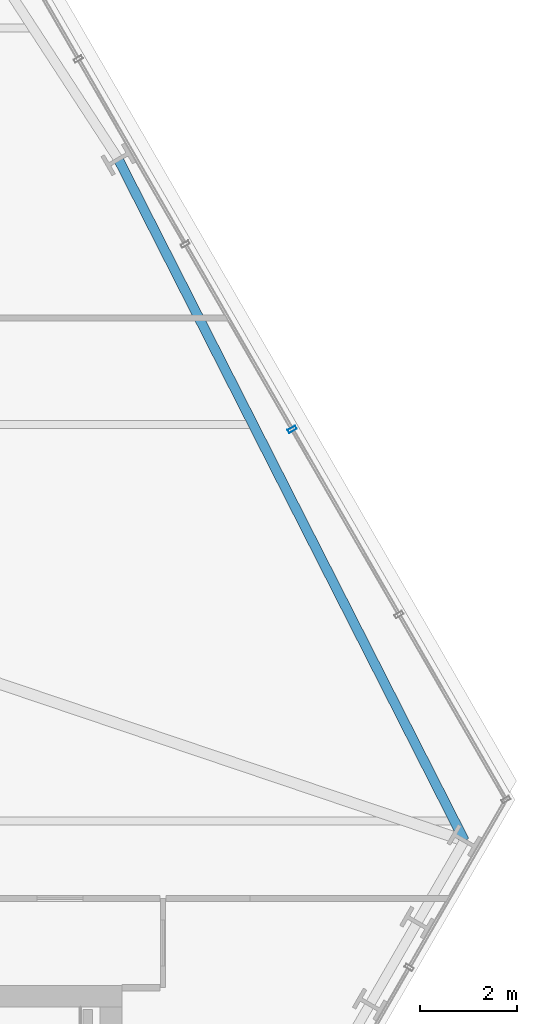
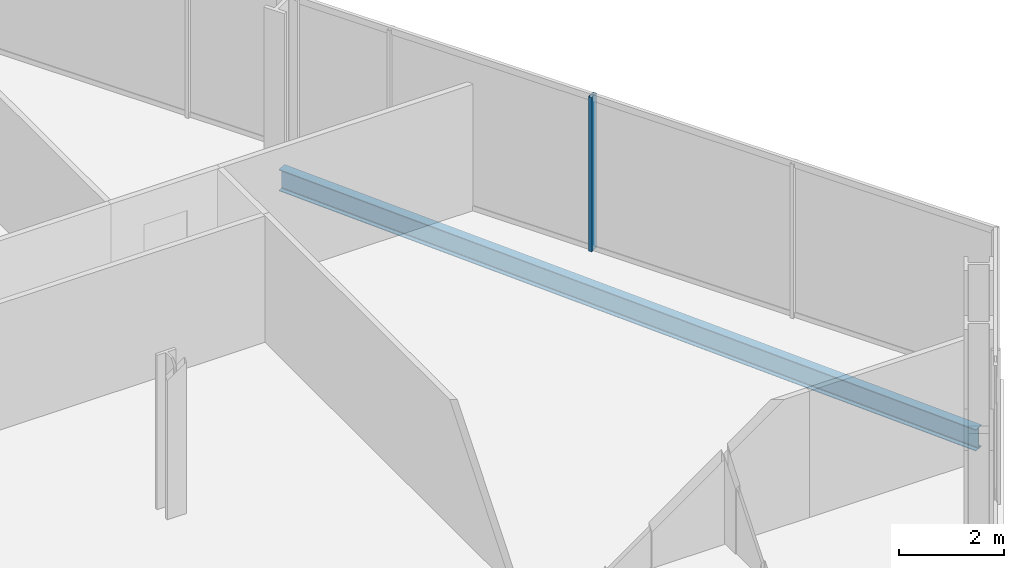
# One storey, part 17 of 32: 1 beam, 1 member, 1 element without a shape of its own.
"""IFC4 building model written with IfcOpenShell, lengths in metres."""

from ifc_helpers import new_model, si_unit, direction, frame, origin, origin_2d, place, context, subcontext, project, spatial, hollow_rectangle, i_section, extrude, material, layer, layer_set, material_profile, profile_set, type_object, element, aggregate, save


model = new_model("IFC4")

# Units and contexts
model_context = context("Model", 3, precision=1e-05, world=origin(), true_north=direction((0.0, 1.0)))
body_context = subcontext(model_context, "Body", "Model", "MODEL_VIEW")
ifc_project = project(units=[si_unit("LENGTHUNIT", "METRE"), si_unit("AREAUNIT", "SQUARE_METRE"), si_unit("VOLUMEUNIT", "CUBIC_METRE"), si_unit("PLANEANGLEUNIT", "RADIAN"), si_unit("MASSUNIT", "GRAM", prefix="KILO")], contexts=[model_context])

# Site, building, storey
site_placement = place(None, origin())
site = spatial("IfcSite", under=ifc_project, at=site_placement, CompositionType="ELEMENT")
building_placement = place(site_placement, origin())
building = spatial("IfcBuilding", under=site, at=building_placement, Name="Ndaravel Arena Tower", CompositionType="ELEMENT")
storey_placement = place(building_placement, frame((0.0, 0.0, 47.39990234375)))
storey = spatial("IfcBuildingStorey", under=building, at=storey_placement, Name="L09", CompositionType="ELEMENT", Elevation=47.39990234375)

# Beam
ifc_material_1 = material(Name="Steel S355", Category="steel")
ifc_material_profile_1 = material_profile(ifc_material_1, i_section(OverallWidth=0.199951171875, OverallDepth=0.5, WebThickness=0.01025390625, FlangeThickness=0.01611328125, FilletRadius=0.02099609375, at=origin_2d()), Name="IPE 500")
ifc_profile_set_1 = profile_set([ifc_material_profile_1], Name="Steel S355")
beam_type = type_object("IfcBeamType", Name="BM-SPAN-IPE500", PredefinedType="SPANDREL", material=ifc_profile_set_1)
beam_placement = place(storey_placement, frame((64.634521484375, 18.19189453125, -0.469970703125), z_axis=(-0.452845189288, 0.891589162416, 0.0), x_axis=(-0.891589162416, -0.452845189288, 0.0)))
element("IfcBeam", 1, at=beam_placement, inside=storey, type_object=beam_type, Name="L09 Perimeter Spandrel Beam SP-09", PredefinedType="SPANDREL", context=body_context, shape_type="SweptSolid", body=[
    extrude(i_section(OverallWidth=0.199951171875, OverallDepth=0.5, WebThickness=0.01025390625, FlangeThickness=0.01611328125, FilletRadius=0.02099609375, at=origin_2d()), origin(), (0.0, 0.0, 1.0), 15.80712890625),
])

# Curtain wall, member
ifc_material_2 = material(Name="Aluminium", Category="aluminium")
ifc_layer = layer(ifc_material_2, 0.179931640625)
ifc_layer_set = layer_set([ifc_layer], Name="Aluminium")
curtain_wall_type = type_object("IfcCurtainWallType", Name="CW-SYS-03", PredefinedType="NOTDEFINED", material=ifc_layer_set)
curtain_wall_placement = place(storey_placement, origin())
curtain_wall = element("IfcCurtainWall", 2, at=curtain_wall_placement, inside=storey, type_object=curtain_wall_type, Name="L09 Faceted Crystal Curtain Wall CW-L09-E03", PredefinedType="NOTDEFINED")
ifc_material_3 = material(Name="Aluminium", Category="aluminium")
ifc_material_profile_2 = material_profile(ifc_material_3, hollow_rectangle(XDim=0.074951171875, YDim=0.179931640625, WallThickness=0.00390625, at=origin_2d()), Name="CW MULLION 75x180x4")
ifc_profile_set_2 = profile_set([ifc_material_profile_2], Name="Aluminium")
member_type = type_object("IfcMemberType", Name="MEM-CW-MUL180", PredefinedType="MULLION", material=ifc_profile_set_2)
member_placement = place(storey_placement, frame((61.0703125, 26.699951171875, 0.0), z_axis=(0.0, 0.0, 1.0), x_axis=(-0.5, 0.866025403784, 0.0)))
member = element("IfcMember", 3, at=member_placement, type_object=member_type, Name="CW-L09-E03 Mullion 02", PredefinedType="MULLION", context=body_context, shape_type="SweptSolid", body=[
    extrude(hollow_rectangle(XDim=0.074951171875, YDim=0.179931640625, WallThickness=0.00390625, at=origin_2d()), origin(), (0.0, 0.0, 1.0), 3.580078125),
])
aggregate(curtain_wall, [member])

save(model, "model.ifc")
